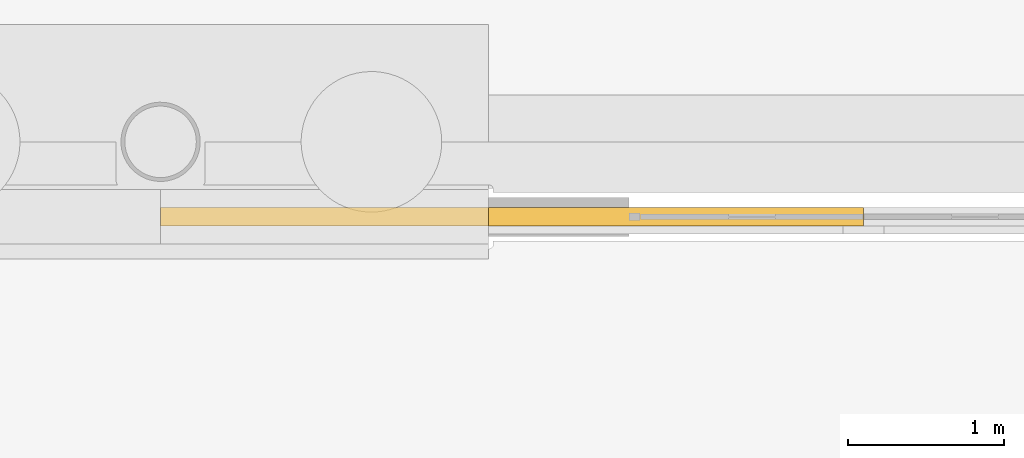
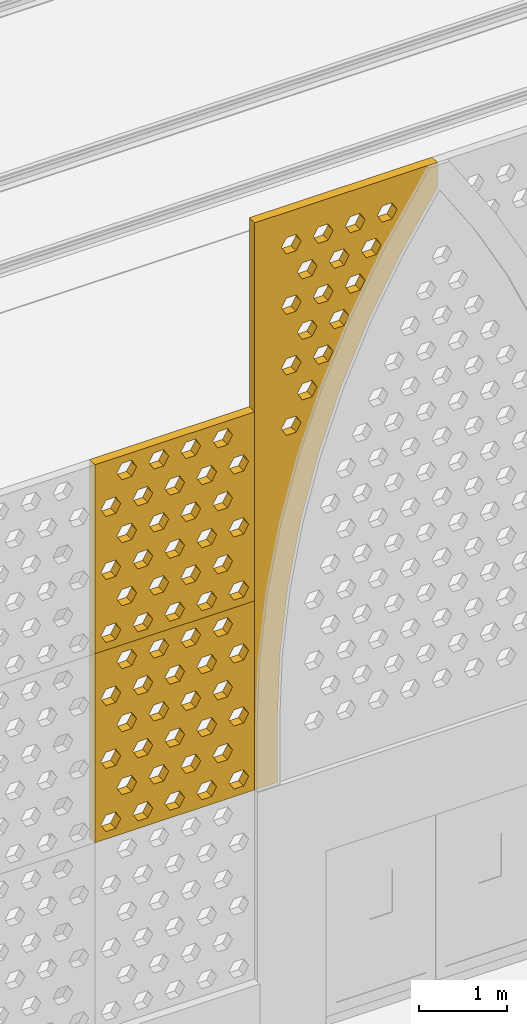
# One storey, part 203 of 250: 3 shading devices.
"""IFC4 building model written with IfcOpenShell, lengths in metres."""

from ifc_helpers import new_model, si_unit, direction, frame, origin, place, context, subcontext, project, spatial, polyline, outline, extrude, material, layer, layer_set, type_object, element, save


model = new_model("IFC4")

# Units and contexts
model_context = context("Model", 3, precision=1e-05, world=origin(), true_north=direction((0.0, 1.0)))
body_context = subcontext(model_context, "Body", "Model", "MODEL_VIEW")
ifc_project = project(units=[si_unit("LENGTHUNIT", "METRE"), si_unit("AREAUNIT", "SQUARE_METRE"), si_unit("VOLUMEUNIT", "CUBIC_METRE"), si_unit("PLANEANGLEUNIT", "RADIAN"), si_unit("MASSUNIT", "GRAM", prefix="KILO")], contexts=[model_context])

# Site, building, storey
site_placement = place(None, origin())
site = spatial("IfcSite", under=ifc_project, at=site_placement, CompositionType="ELEMENT")
building_placement = place(site_placement, origin())
building = spatial("IfcBuilding", under=site, at=building_placement, Name="Baradari Gate Terminus", CompositionType="ELEMENT")
storey_placement = place(building_placement, origin())
storey = spatial("IfcBuildingStorey", under=building, at=storey_placement, Name="L00", CompositionType="ELEMENT", Elevation=0.0)

# Shading devices
ifc_material = material(Name="Concrete C50/60 precast", Category="concrete")
ifc_layer = layer(ifc_material, 0.1201171875)
ifc_layer_set = layer_set([ifc_layer], Name="Concrete C50/60 precast")
shading_device_type = type_object("IfcShadingDeviceType", Name="Jali screen panel JS-2 120", PredefinedType="SHUTTER", material=ifc_layer_set)
shading_device_1_placement = place(storey_placement, frame((207.0, 35.52001953125, 3.52490234375), z_axis=(0.0, 0.0, 1.0), x_axis=(1.0, 0.0, 0.0)))
element("IfcShadingDevice", 1, at=shading_device_1_placement, inside=storey, type_object=shading_device_type, Name="Jali screen panel JS-2 SC06a row 2 panel 1", PredefinedType="SHUTTER", context=body_context, shape_type="SweptSolid", body=[
    extrude(outline(polyline([(0.0, 0.0), (2.10009765625, 0.0), (2.10009765625, 2.625), (0.0, 2.625), (0.0, 0.0)]), holes=[polyline([(0.340087890625, 0.21875), (0.27490234375, 0.106201171875), (0.14501953125, 0.106201171875), (0.080078125, 0.21875), (0.14501953125, 0.33154296875), (0.27490234375, 0.33154296875), (0.340087890625, 0.21875)]), polyline([(0.760009765625, 0.21875), (0.695068359375, 0.106201171875), (0.56494140625, 0.106201171875), (0.5, 0.21875), (0.56494140625, 0.33154296875), (0.695068359375, 0.33154296875), (0.760009765625, 0.21875)]), polyline([(1.179931640625, 0.21875), (1.114990234375, 0.106201171875), (0.985107421875, 0.106201171875), (0.919921875, 0.21875), (0.985107421875, 0.33154296875), (1.114990234375, 0.33154296875), (1.179931640625, 0.21875)]), polyline([(1.60009765625, 0.21875), (1.534912109375, 0.106201171875), (1.405029296875, 0.106201171875), (1.340087890625, 0.21875), (1.405029296875, 0.33154296875), (1.534912109375, 0.33154296875), (1.60009765625, 0.21875)]), polyline([(2.02001953125, 0.21875), (1.955078125, 0.106201171875), (1.824951171875, 0.106201171875), (1.760009765625, 0.21875), (1.824951171875, 0.33154296875), (1.955078125, 0.33154296875), (2.02001953125, 0.21875)]), polyline([(0.550048828125, 0.65625), (0.485107421875, 0.543701171875), (0.35498046875, 0.543701171875), (0.2900390625, 0.65625), (0.35498046875, 0.76904296875), (0.485107421875, 0.76904296875), (0.550048828125, 0.65625)]), polyline([(0.969970703125, 0.65625), (0.905029296875, 0.543701171875), (0.77490234375, 0.543701171875), (0.7099609375, 0.65625), (0.77490234375, 0.76904296875), (0.905029296875, 0.76904296875), (0.969970703125, 0.65625)]), polyline([(1.389892578125, 0.65625), (1.324951171875, 0.543701171875), (1.195068359375, 0.543701171875), (1.1298828125, 0.65625), (1.195068359375, 0.76904296875), (1.324951171875, 0.76904296875), (1.389892578125, 0.65625)]), polyline([(1.81005859375, 0.65625), (1.7451171875, 0.543701171875), (1.614990234375, 0.543701171875), (1.550048828125, 0.65625), (1.614990234375, 0.76904296875), (1.7451171875, 0.76904296875), (1.81005859375, 0.65625)]), polyline([(0.340087890625, 1.09375), (0.27490234375, 0.981201171875), (0.14501953125, 0.981201171875), (0.080078125, 1.09375), (0.14501953125, 1.20654296875), (0.27490234375, 1.20654296875), (0.340087890625, 1.09375)]), polyline([(0.760009765625, 1.09375), (0.695068359375, 0.981201171875), (0.56494140625, 0.981201171875), (0.5, 1.09375), (0.56494140625, 1.20654296875), (0.695068359375, 1.20654296875), (0.760009765625, 1.09375)]), polyline([(1.179931640625, 1.09375), (1.114990234375, 0.981201171875), (0.985107421875, 0.981201171875), (0.919921875, 1.09375), (0.985107421875, 1.20654296875), (1.114990234375, 1.20654296875), (1.179931640625, 1.09375)]), polyline([(1.60009765625, 1.09375), (1.534912109375, 0.981201171875), (1.405029296875, 0.981201171875), (1.340087890625, 1.09375), (1.405029296875, 1.20654296875), (1.534912109375, 1.20654296875), (1.60009765625, 1.09375)]), polyline([(2.02001953125, 1.09375), (1.955078125, 0.981201171875), (1.824951171875, 0.981201171875), (1.760009765625, 1.09375), (1.824951171875, 1.20654296875), (1.955078125, 1.20654296875), (2.02001953125, 1.09375)]), polyline([(0.550048828125, 1.53125), (0.485107421875, 1.418701171875), (0.35498046875, 1.418701171875), (0.2900390625, 1.53125), (0.35498046875, 1.64404296875), (0.485107421875, 1.64404296875), (0.550048828125, 1.53125)]), polyline([(0.969970703125, 1.53125), (0.905029296875, 1.418701171875), (0.77490234375, 1.418701171875), (0.7099609375, 1.53125), (0.77490234375, 1.64404296875), (0.905029296875, 1.64404296875), (0.969970703125, 1.53125)]), polyline([(1.389892578125, 1.53125), (1.324951171875, 1.418701171875), (1.195068359375, 1.418701171875), (1.1298828125, 1.53125), (1.195068359375, 1.64404296875), (1.324951171875, 1.64404296875), (1.389892578125, 1.53125)]), polyline([(1.81005859375, 1.53125), (1.7451171875, 1.418701171875), (1.614990234375, 1.418701171875), (1.550048828125, 1.53125), (1.614990234375, 1.64404296875), (1.7451171875, 1.64404296875), (1.81005859375, 1.53125)]), polyline([(0.340087890625, 1.96875), (0.27490234375, 1.856201171875), (0.14501953125, 1.856201171875), (0.080078125, 1.96875), (0.14501953125, 2.08154296875), (0.27490234375, 2.08154296875), (0.340087890625, 1.96875)]), polyline([(0.760009765625, 1.96875), (0.695068359375, 1.856201171875), (0.56494140625, 1.856201171875), (0.5, 1.96875), (0.56494140625, 2.08154296875), (0.695068359375, 2.08154296875), (0.760009765625, 1.96875)]), polyline([(1.179931640625, 1.96875), (1.114990234375, 1.856201171875), (0.985107421875, 1.856201171875), (0.919921875, 1.96875), (0.985107421875, 2.08154296875), (1.114990234375, 2.08154296875), (1.179931640625, 1.96875)]), polyline([(1.60009765625, 1.96875), (1.534912109375, 1.856201171875), (1.405029296875, 1.856201171875), (1.340087890625, 1.96875), (1.405029296875, 2.08154296875), (1.534912109375, 2.08154296875), (1.60009765625, 1.96875)]), polyline([(2.02001953125, 1.96875), (1.955078125, 1.856201171875), (1.824951171875, 1.856201171875), (1.760009765625, 1.96875), (1.824951171875, 2.08154296875), (1.955078125, 2.08154296875), (2.02001953125, 1.96875)]), polyline([(0.550048828125, 2.40625), (0.485107421875, 2.293701171875), (0.35498046875, 2.293701171875), (0.2900390625, 2.40625), (0.35498046875, 2.51904296875), (0.485107421875, 2.51904296875), (0.550048828125, 2.40625)]), polyline([(0.969970703125, 2.40625), (0.905029296875, 2.293701171875), (0.77490234375, 2.293701171875), (0.7099609375, 2.40625), (0.77490234375, 2.51904296875), (0.905029296875, 2.51904296875), (0.969970703125, 2.40625)]), polyline([(1.389892578125, 2.40625), (1.324951171875, 2.293701171875), (1.195068359375, 2.293701171875), (1.1298828125, 2.40625), (1.195068359375, 2.51904296875), (1.324951171875, 2.51904296875), (1.389892578125, 2.40625)]), polyline([(1.81005859375, 2.40625), (1.7451171875, 2.293701171875), (1.614990234375, 2.293701171875), (1.550048828125, 2.40625), (1.614990234375, 2.51904296875), (1.7451171875, 2.51904296875), (1.81005859375, 2.40625)])]), frame((0.0, 0.06005859375, 0.0), z_axis=(0.0, -1.0, 0.0), x_axis=(1.0, 0.0, 0.0)), (0.0, 0.0, 1.0), 0.1201171875),
])
shading_device_2_placement = place(storey_placement, frame((207.0, 35.52001953125, 6.14990234375), z_axis=(0.0, 0.0, 1.0), x_axis=(1.0, 0.0, 0.0)))
element("IfcShadingDevice", 2, at=shading_device_2_placement, inside=storey, type_object=shading_device_type, Name="Jali screen panel JS-2 SC06a row 3 panel 1", PredefinedType="SHUTTER", context=body_context, shape_type="SweptSolid", body=[
    extrude(outline(polyline([(0.0, 0.0), (2.10009765625, 0.0), (2.10009765625, 2.625), (0.0, 2.625), (0.0, 0.0)]), holes=[polyline([(0.340087890625, 0.21875), (0.27490234375, 0.106201171875), (0.14501953125, 0.106201171875), (0.080078125, 0.21875), (0.14501953125, 0.33154296875), (0.27490234375, 0.33154296875), (0.340087890625, 0.21875)]), polyline([(0.760009765625, 0.21875), (0.695068359375, 0.106201171875), (0.56494140625, 0.106201171875), (0.5, 0.21875), (0.56494140625, 0.33154296875), (0.695068359375, 0.33154296875), (0.760009765625, 0.21875)]), polyline([(1.179931640625, 0.21875), (1.114990234375, 0.106201171875), (0.985107421875, 0.106201171875), (0.919921875, 0.21875), (0.985107421875, 0.33154296875), (1.114990234375, 0.33154296875), (1.179931640625, 0.21875)]), polyline([(1.60009765625, 0.21875), (1.534912109375, 0.106201171875), (1.405029296875, 0.106201171875), (1.340087890625, 0.21875), (1.405029296875, 0.33154296875), (1.534912109375, 0.33154296875), (1.60009765625, 0.21875)]), polyline([(2.02001953125, 0.21875), (1.955078125, 0.106201171875), (1.824951171875, 0.106201171875), (1.760009765625, 0.21875), (1.824951171875, 0.33154296875), (1.955078125, 0.33154296875), (2.02001953125, 0.21875)]), polyline([(0.550048828125, 0.65625), (0.485107421875, 0.543701171875), (0.35498046875, 0.543701171875), (0.2900390625, 0.65625), (0.35498046875, 0.76904296875), (0.485107421875, 0.76904296875), (0.550048828125, 0.65625)]), polyline([(0.969970703125, 0.65625), (0.905029296875, 0.543701171875), (0.77490234375, 0.543701171875), (0.7099609375, 0.65625), (0.77490234375, 0.76904296875), (0.905029296875, 0.76904296875), (0.969970703125, 0.65625)]), polyline([(1.389892578125, 0.65625), (1.324951171875, 0.543701171875), (1.195068359375, 0.543701171875), (1.1298828125, 0.65625), (1.195068359375, 0.76904296875), (1.324951171875, 0.76904296875), (1.389892578125, 0.65625)]), polyline([(1.81005859375, 0.65625), (1.7451171875, 0.543701171875), (1.614990234375, 0.543701171875), (1.550048828125, 0.65625), (1.614990234375, 0.76904296875), (1.7451171875, 0.76904296875), (1.81005859375, 0.65625)]), polyline([(0.340087890625, 1.09375), (0.27490234375, 0.981201171875), (0.14501953125, 0.981201171875), (0.080078125, 1.09375), (0.14501953125, 1.20654296875), (0.27490234375, 1.20654296875), (0.340087890625, 1.09375)]), polyline([(0.760009765625, 1.09375), (0.695068359375, 0.981201171875), (0.56494140625, 0.981201171875), (0.5, 1.09375), (0.56494140625, 1.20654296875), (0.695068359375, 1.20654296875), (0.760009765625, 1.09375)]), polyline([(1.179931640625, 1.09375), (1.114990234375, 0.981201171875), (0.985107421875, 0.981201171875), (0.919921875, 1.09375), (0.985107421875, 1.20654296875), (1.114990234375, 1.20654296875), (1.179931640625, 1.09375)]), polyline([(1.60009765625, 1.09375), (1.534912109375, 0.981201171875), (1.405029296875, 0.981201171875), (1.340087890625, 1.09375), (1.405029296875, 1.20654296875), (1.534912109375, 1.20654296875), (1.60009765625, 1.09375)]), polyline([(2.02001953125, 1.09375), (1.955078125, 0.981201171875), (1.824951171875, 0.981201171875), (1.760009765625, 1.09375), (1.824951171875, 1.20654296875), (1.955078125, 1.20654296875), (2.02001953125, 1.09375)]), polyline([(0.550048828125, 1.53125), (0.485107421875, 1.418701171875), (0.35498046875, 1.418701171875), (0.2900390625, 1.53125), (0.35498046875, 1.64404296875), (0.485107421875, 1.64404296875), (0.550048828125, 1.53125)]), polyline([(0.969970703125, 1.53125), (0.905029296875, 1.418701171875), (0.77490234375, 1.418701171875), (0.7099609375, 1.53125), (0.77490234375, 1.64404296875), (0.905029296875, 1.64404296875), (0.969970703125, 1.53125)]), polyline([(1.389892578125, 1.53125), (1.324951171875, 1.418701171875), (1.195068359375, 1.418701171875), (1.1298828125, 1.53125), (1.195068359375, 1.64404296875), (1.324951171875, 1.64404296875), (1.389892578125, 1.53125)]), polyline([(1.81005859375, 1.53125), (1.7451171875, 1.418701171875), (1.614990234375, 1.418701171875), (1.550048828125, 1.53125), (1.614990234375, 1.64404296875), (1.7451171875, 1.64404296875), (1.81005859375, 1.53125)]), polyline([(0.340087890625, 1.96875), (0.27490234375, 1.856201171875), (0.14501953125, 1.856201171875), (0.080078125, 1.96875), (0.14501953125, 2.08154296875), (0.27490234375, 2.08154296875), (0.340087890625, 1.96875)]), polyline([(0.760009765625, 1.96875), (0.695068359375, 1.856201171875), (0.56494140625, 1.856201171875), (0.5, 1.96875), (0.56494140625, 2.08154296875), (0.695068359375, 2.08154296875), (0.760009765625, 1.96875)]), polyline([(1.179931640625, 1.96875), (1.114990234375, 1.856201171875), (0.985107421875, 1.856201171875), (0.919921875, 1.96875), (0.985107421875, 2.08154296875), (1.114990234375, 2.08154296875), (1.179931640625, 1.96875)]), polyline([(1.60009765625, 1.96875), (1.534912109375, 1.856201171875), (1.405029296875, 1.856201171875), (1.340087890625, 1.96875), (1.405029296875, 2.08154296875), (1.534912109375, 2.08154296875), (1.60009765625, 1.96875)]), polyline([(2.02001953125, 1.96875), (1.955078125, 1.856201171875), (1.824951171875, 1.856201171875), (1.760009765625, 1.96875), (1.824951171875, 2.08154296875), (1.955078125, 2.08154296875), (2.02001953125, 1.96875)]), polyline([(0.550048828125, 2.40625), (0.485107421875, 2.293701171875), (0.35498046875, 2.293701171875), (0.2900390625, 2.40625), (0.35498046875, 2.51904296875), (0.485107421875, 2.51904296875), (0.550048828125, 2.40625)]), polyline([(0.969970703125, 2.40625), (0.905029296875, 2.293701171875), (0.77490234375, 2.293701171875), (0.7099609375, 2.40625), (0.77490234375, 2.51904296875), (0.905029296875, 2.51904296875), (0.969970703125, 2.40625)]), polyline([(1.389892578125, 2.40625), (1.324951171875, 2.293701171875), (1.195068359375, 2.293701171875), (1.1298828125, 2.40625), (1.195068359375, 2.51904296875), (1.324951171875, 2.51904296875), (1.389892578125, 2.40625)]), polyline([(1.81005859375, 2.40625), (1.7451171875, 2.293701171875), (1.614990234375, 2.293701171875), (1.550048828125, 2.40625), (1.614990234375, 2.51904296875), (1.7451171875, 2.51904296875), (1.81005859375, 2.40625)])]), frame((0.0, 0.06005859375, 0.0), z_axis=(0.0, -1.0, 0.0), x_axis=(1.0, 0.0, 0.0)), (0.0, 0.0, 1.0), 0.1201171875),
])
shading_device_3_placement = place(storey_placement, frame((209.10009765625, 35.52001953125, 3.52490234375), z_axis=(0.0, 0.0, 1.0), x_axis=(1.0, 0.0, 0.0)))
element("IfcShadingDevice", 3, at=shading_device_3_placement, inside=storey, type_object=shading_device_type, Name="Jali screen panel JS-2 SC06b arch L1", PredefinedType="SHUTTER", context=body_context, shape_type="SweptSolid", body=[
    extrude(outline(polyline([(0.0, 0.0), (0.300048828125, 0.0), (0.300048828125, 0.900146484375), (0.333740234375, 1.78173828125), (0.435302734375, 2.658203125), (0.603515625, 3.5244140625), (0.837646484375, 4.375), (1.13623046875, 5.205322265625), (1.49755859375, 6.01025390625), (1.919677734375, 6.784912109375), (2.39990234375, 7.525146484375), (2.39990234375, 7.875), (0.0, 7.875), (0.0, 0.0)]), holes=[polyline([(0.610107421875, 4.89013671875), (0.544921875, 4.777587890625), (0.4150390625, 4.777587890625), (0.35009765625, 4.89013671875), (0.4150390625, 5.002685546875), (0.544921875, 5.002685546875), (0.610107421875, 4.89013671875)]), polyline([(0.820068359375, 5.31005859375), (0.7548828125, 5.197509765625), (0.625, 5.197509765625), (0.56005859375, 5.31005859375), (0.625, 5.422607421875), (0.7548828125, 5.422607421875), (0.820068359375, 5.31005859375)]), polyline([(0.610107421875, 5.72998046875), (0.544921875, 5.617431640625), (0.4150390625, 5.617431640625), (0.35009765625, 5.72998046875), (0.4150390625, 5.8427734375), (0.544921875, 5.8427734375), (0.610107421875, 5.72998046875)]), polyline([(1.030029296875, 5.72998046875), (0.965087890625, 5.617431640625), (0.8349609375, 5.617431640625), (0.77001953125, 5.72998046875), (0.8349609375, 5.8427734375), (0.965087890625, 5.8427734375), (1.030029296875, 5.72998046875)]), polyline([(0.820068359375, 6.150146484375), (0.7548828125, 6.03759765625), (0.625, 6.03759765625), (0.56005859375, 6.150146484375), (0.625, 6.2626953125), (0.7548828125, 6.2626953125), (0.820068359375, 6.150146484375)]), polyline([(1.239990234375, 6.150146484375), (1.175048828125, 6.03759765625), (1.044921875, 6.03759765625), (0.97998046875, 6.150146484375), (1.044921875, 6.2626953125), (1.175048828125, 6.2626953125), (1.239990234375, 6.150146484375)]), polyline([(0.610107421875, 6.570068359375), (0.544921875, 6.45751953125), (0.4150390625, 6.45751953125), (0.35009765625, 6.570068359375), (0.4150390625, 6.6826171875), (0.544921875, 6.6826171875), (0.610107421875, 6.570068359375)]), polyline([(1.030029296875, 6.570068359375), (0.965087890625, 6.45751953125), (0.8349609375, 6.45751953125), (0.77001953125, 6.570068359375), (0.8349609375, 6.6826171875), (0.965087890625, 6.6826171875), (1.030029296875, 6.570068359375)]), polyline([(1.449951171875, 6.570068359375), (1.385009765625, 6.45751953125), (1.2548828125, 6.45751953125), (1.18994140625, 6.570068359375), (1.2548828125, 6.6826171875), (1.385009765625, 6.6826171875), (1.449951171875, 6.570068359375)]), polyline([(0.820068359375, 6.989990234375), (0.7548828125, 6.87744140625), (0.625, 6.87744140625), (0.56005859375, 6.989990234375), (0.625, 7.102783203125), (0.7548828125, 7.102783203125), (0.820068359375, 6.989990234375)]), polyline([(1.239990234375, 6.989990234375), (1.175048828125, 6.87744140625), (1.044921875, 6.87744140625), (0.97998046875, 6.989990234375), (1.044921875, 7.102783203125), (1.175048828125, 7.102783203125), (1.239990234375, 6.989990234375)]), polyline([(1.659912109375, 6.989990234375), (1.594970703125, 6.87744140625), (1.465087890625, 6.87744140625), (1.39990234375, 6.989990234375), (1.465087890625, 7.102783203125), (1.594970703125, 7.102783203125), (1.659912109375, 6.989990234375)]), polyline([(0.610107421875, 7.41015625), (0.544921875, 7.297607421875), (0.4150390625, 7.297607421875), (0.35009765625, 7.41015625), (0.4150390625, 7.522705078125), (0.544921875, 7.522705078125), (0.610107421875, 7.41015625)]), polyline([(1.030029296875, 7.41015625), (0.965087890625, 7.297607421875), (0.8349609375, 7.297607421875), (0.77001953125, 7.41015625), (0.8349609375, 7.522705078125), (0.965087890625, 7.522705078125), (1.030029296875, 7.41015625)]), polyline([(1.449951171875, 7.41015625), (1.385009765625, 7.297607421875), (1.2548828125, 7.297607421875), (1.18994140625, 7.41015625), (1.2548828125, 7.522705078125), (1.385009765625, 7.522705078125), (1.449951171875, 7.41015625)]), polyline([(1.8701171875, 7.41015625), (1.804931640625, 7.297607421875), (1.675048828125, 7.297607421875), (1.610107421875, 7.41015625), (1.675048828125, 7.522705078125), (1.804931640625, 7.522705078125), (1.8701171875, 7.41015625)])]), frame((0.0, 0.06005859375, 0.0), z_axis=(0.0, -1.0, 0.0), x_axis=(1.0, 0.0, 0.0)), (0.0, 0.0, 1.0), 0.1201171875),
])

save(model, "model.ifc")
